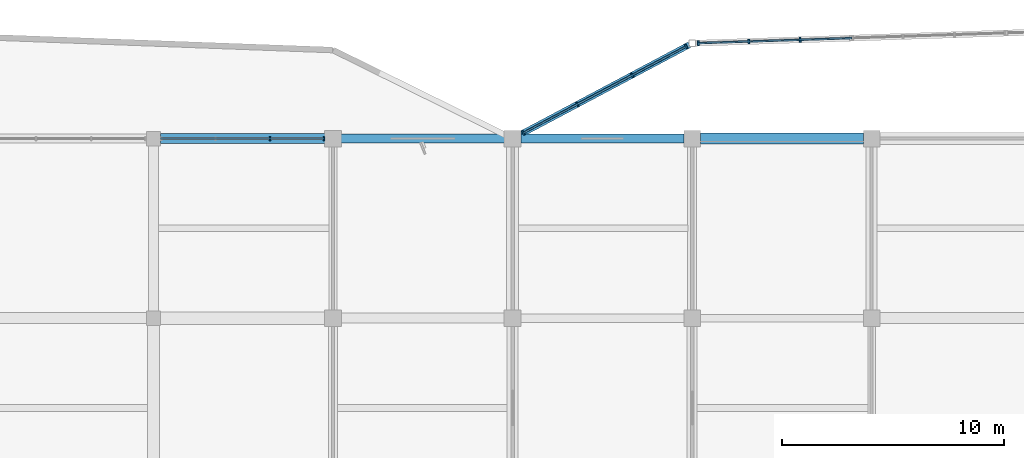
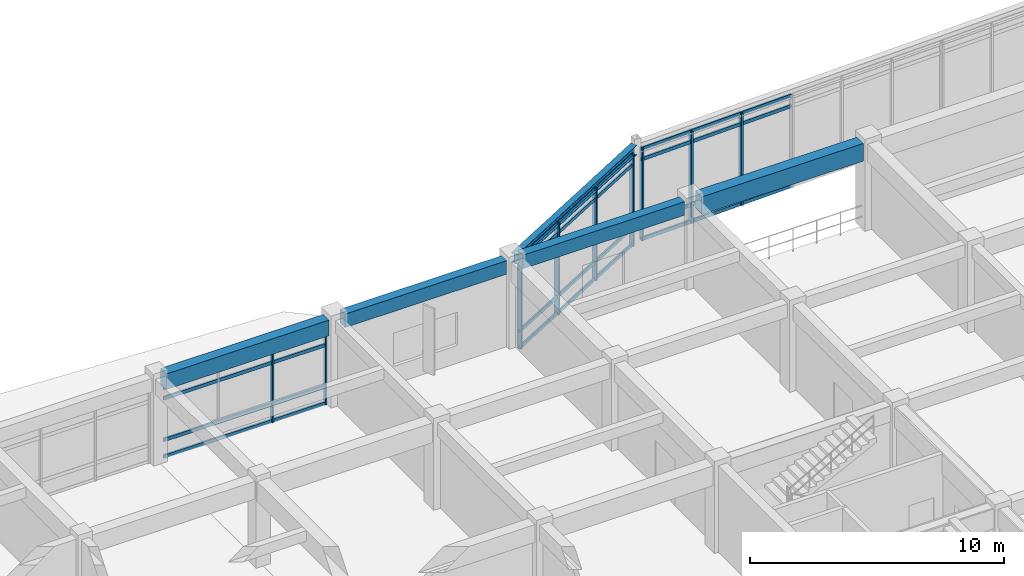
# One storey, part 38 of 70: 21 members, 5 beams, 3 elements without a shape of their own.
"""IFC4 building model written with IfcOpenShell, lengths in metres."""

from ifc_helpers import new_model, si_unit, direction, frame, origin, origin_2d, place, context, subcontext, project, spatial, rectangle, i_section, extrude, material, layer, layer_set, material_profile, profile_set, type_object, element, aggregate, save


model = new_model("IFC4")

# Units and contexts
model_context = context("Model", 3, precision=1e-05, world=origin(), true_north=direction((0.0, 1.0)))
body_context = subcontext(model_context, "Body", "Model", "MODEL_VIEW")
ifc_project = project(units=[si_unit("LENGTHUNIT", "METRE"), si_unit("AREAUNIT", "SQUARE_METRE"), si_unit("VOLUMEUNIT", "CUBIC_METRE"), si_unit("PLANEANGLEUNIT", "RADIAN"), si_unit("MASSUNIT", "GRAM", prefix="KILO")], contexts=[model_context])

# Site, building, storey
site_placement = place(None, origin())
site = spatial("IfcSite", under=ifc_project, at=site_placement, CompositionType="ELEMENT")
building_placement = place(site_placement, origin())
building = spatial("IfcBuilding", under=site, at=building_placement, Name="Vaudrelin Polytechnic", CompositionType="ELEMENT")
storey_placement = place(building_placement, frame((0.0, 0.0, 14.110107421875)))
storey = spatial("IfcBuildingStorey", under=building, at=storey_placement, Name="L03", CompositionType="ELEMENT", Elevation=14.110107421875)

# Beams
ifc_material_1 = material(Name="Concrete 40 MPa", Category="concrete")
ifc_material_profile_1 = material_profile(ifc_material_1, rectangle(XDim=0.39990234375, YDim=0.64990234375, at=origin_2d()), Name="RC400x650")
ifc_profile_set_1 = profile_set([ifc_material_profile_1], Name="Concrete 40 MPa")
beam_type_1 = type_object("IfcBeamType", Name="BM-BM-RC4065", PredefinedType="BEAM", material=ifc_profile_set_1)
beam_1_placement = place(storey_placement, frame((138.071044921875, 121.5, 3.8349609375), z_axis=(1.0, 0.0, 0.0), x_axis=(0.0, 1.0, 0.0)))
element("IfcBeam", 1, at=beam_1_placement, inside=storey, type_object=beam_type_1, Name="L03 X-beam 18-16", PredefinedType="BEAM", context=body_context, shape_type="SweptSolid", body=[
    extrude(rectangle(XDim=0.39990234375, YDim=0.64990234375, at=origin_2d()), origin(), (0.0, 0.0, 1.0), 7.35791015625),
])
ifc_material_profile_2 = material_profile(ifc_material_1, rectangle(XDim=0.449951171875, YDim=0.75, at=origin_2d()), Name="RC450x750")
ifc_profile_set_2 = profile_set([ifc_material_profile_2], Name="Concrete 40 MPa")
beam_type_2 = type_object("IfcBeamType", Name="BM-BM-RC4575", PredefinedType="BEAM", material=ifc_profile_set_2)
beam_2_placement = place(storey_placement, frame((129.9208984375, 121.5, 3.77490234375), z_axis=(1.0, 0.0, 0.0), x_axis=(0.0, 1.0, 0.0)))
element("IfcBeam", 2, at=beam_2_placement, inside=storey, type_object=beam_type_2, Name="L03 X-beam 17-16", PredefinedType="BEAM", context=body_context, shape_type="SweptSolid", body=[
    extrude(rectangle(XDim=0.449951171875, YDim=0.75, at=origin_2d()), origin(), (0.0, 0.0, 1.0), 7.408203125),
])
ifc_material_profile_3 = material_profile(ifc_material_1, rectangle(XDim=0.5, YDim=0.85009765625, at=origin_2d()), Name="RC500x850")
ifc_profile_set_3 = profile_set([ifc_material_profile_3], Name="Concrete 40 MPa")
beam_type_3 = type_object("IfcBeamType", Name="BM-BM-RC5085", PredefinedType="BEAM", material=ifc_profile_set_3)
beam_3_placement = place(storey_placement, frame((154.27099609375, 121.5, 3.73486328125), z_axis=(1.0, 0.0, 0.0), x_axis=(0.0, 1.0, 0.0)))
element("IfcBeam", 3, at=beam_3_placement, inside=storey, type_object=beam_type_3, Name="L03 X-beam 20-16", PredefinedType="BEAM", context=body_context, shape_type="SweptSolid", body=[
    extrude(rectangle(XDim=0.5, YDim=0.85009765625, at=origin_2d()), origin(), (0.0, 0.0, 1.0), 7.35791015625),
])
ifc_material_2 = material(Name="Steel CSA G40.21 350W", Category="steel")
ifc_material_profile_4 = material_profile(ifc_material_2, i_section(OverallWidth=0.280029296875, OverallDepth=0.462890625, WebThickness=0.0107421875, FlangeThickness=0.017333984375, FilletRadius=0.01806640625, at=origin_2d()), Name="W460x113")
ifc_profile_set_4 = profile_set([ifc_material_profile_4], Name="Steel CSA G40.21 350W")
beam_type_4 = type_object("IfcBeamType", Name="BM-BM-W460H", PredefinedType="BEAM", material=ifc_profile_set_4)
beam_4_placement = place(storey_placement, frame((145.923583984375, 121.565673828125, 3.928466796875), z_axis=(0.883259671752, 0.468884156542, 0.0), x_axis=(-0.468884156542, 0.883259671752, 0.0)))
element("IfcBeam", 4, at=beam_4_placement, inside=storey, type_object=beam_type_4, Name="Sculptural edge beam L03 NE_BM_1", PredefinedType="BEAM", context=body_context, shape_type="SweptSolid", body=[
    extrude(i_section(OverallWidth=0.280029296875, OverallDepth=0.462890625, WebThickness=0.0107421875, FlangeThickness=0.017333984375, FilletRadius=0.01806640625, at=origin_2d()), origin(), (0.0, 0.0, 1.0), 8.890625),
])
ifc_material_profile_5 = material_profile(ifc_material_1, rectangle(XDim=0.39990234375, YDim=0.64990234375, at=origin_2d()), Name="RC400x650")
ifc_profile_set_5 = profile_set([ifc_material_profile_5], Name="Concrete 40 MPa")
beam_type_5 = type_object("IfcBeamType", Name="BM-SP-RC4065", PredefinedType="SPANDREL", material=ifc_profile_set_5)
beam_5_placement = place(storey_placement, frame((146.1708984375, 121.5, 3.8349609375), z_axis=(1.0, 0.0, 0.0), x_axis=(0.0, 1.0, 0.0)))
element("IfcBeam", 5, at=beam_5_placement, inside=storey, type_object=beam_type_5, Name="L03 X-beam 19-16", PredefinedType="SPANDREL", context=body_context, shape_type="SweptSolid", body=[
    extrude(rectangle(XDim=0.39990234375, YDim=0.64990234375, at=origin_2d()), origin(), (0.0, 0.0, 1.0), 7.358154296875),
])

# Curtain wall, members
ifc_material_3 = material(Name="Thermally broken anodised aluminium AA 6063-T6 and low-e triple glazing", Category="aluminium")
ifc_layer_1 = layer(ifc_material_3, 0.199951171875)
ifc_layer_set_1 = layer_set([ifc_layer_1], Name="Thermally broken anodised aluminium AA 6063-T6 and low-e triple glazing")
curtain_wall_type_1 = type_object("IfcCurtainWallType", Name="CW-CW-STU", PredefinedType="USERDEFINED", material=ifc_layer_set_1)
curtain_wall_1_placement = place(storey_placement, origin())
curtain_wall_1 = element("IfcCurtainWall", 6, at=curtain_wall_1_placement, inside=storey, type_object=curtain_wall_type_1, Name="Curtain wall L03 N_V5_16", ObjectType="CURTAIN WALL", PredefinedType="USERDEFINED")
ifc_material_4 = material(Name="Anodised aluminium AA 6063-T6", Category="aluminium")
ifc_material_profile_6 = material_profile(ifc_material_4, rectangle(XDim=0.06494140625, YDim=0.179931640625, at=origin_2d()), Name="CWM-65x180")
ifc_profile_set_6 = profile_set([ifc_material_profile_6], Name="Anodised aluminium AA 6063-T6")
member_type_1 = type_object("IfcMemberType", Name="MEM-CWM-180", PredefinedType="MULLION", material=ifc_profile_set_6)
member_1_placement = place(storey_placement, frame((134.85888671875, 121.5, 0.0), z_axis=(0.0, 0.0, 1.0), x_axis=(1.0, 0.0, 0.0)))
member_1 = element("IfcMember", 7, at=member_1_placement, type_object=member_type_1, Name="N_V5_16 mullion 3", PredefinedType="MULLION", context=body_context, shape_type="SweptSolid", body=[
    extrude(rectangle(XDim=0.06494140625, YDim=0.179931640625, at=origin_2d()), origin(), (0.0, 0.0, 1.0), 3.40185546875),
])
member_2_placement = place(storey_placement, frame((137.287109375, 121.5, 0.0), z_axis=(0.0, 0.0, 1.0), x_axis=(1.0, 0.0, 0.0)))
member_2 = element("IfcMember", 8, at=member_2_placement, type_object=member_type_1, Name="N_V5_16 mullion 4", PredefinedType="MULLION", context=body_context, shape_type="SweptSolid", body=[
    extrude(rectangle(XDim=0.06494140625, YDim=0.179931640625, at=origin_2d()), origin(), (0.0, 0.0, 1.0), 3.40185546875),
])

ifc_layer_2 = layer(ifc_material_3, 0.199951171875)
ifc_layer_set_2 = layer_set([ifc_layer_2], Name="Thermally broken anodised aluminium AA 6063-T6 and low-e triple glazing")
curtain_wall_type_2 = type_object("IfcCurtainWallType", Name="CW-CW-LAB", PredefinedType="USERDEFINED", material=ifc_layer_set_2)
curtain_wall_2_placement = place(storey_placement, origin())
curtain_wall_2 = element("IfcCurtainWall", 9, at=curtain_wall_2_placement, inside=storey, type_object=curtain_wall_type_2, Name="Curtain wall L03 NEP_1_0", ObjectType="CURTAIN WALL", PredefinedType="USERDEFINED")
ifc_material_profile_7 = material_profile(ifc_material_4, rectangle(XDim=0.074951171875, YDim=0.219970703125, at=origin_2d()), Name="CWM-75x220")
ifc_profile_set_7 = profile_set([ifc_material_profile_7], Name="Anodised aluminium AA 6063-T6")
member_type_2 = type_object("IfcMemberType", Name="MEM-CWM-220", PredefinedType="MULLION", material=ifc_profile_set_7)
member_3_placement = place(storey_placement, frame((146.285400390625, 121.7578125, -0.630126953125), z_axis=(0.0, 0.0, 1.0), x_axis=(0.88325357809, 0.468895635288, 0.0)))
member_3 = element("IfcMember", 10, at=member_3_placement, type_object=member_type_2, Name="NEP_1_0 mullion 1", PredefinedType="MULLION", context=body_context, shape_type="SweptSolid", body=[
    extrude(rectangle(XDim=0.074951171875, YDim=0.219970703125, at=origin_2d()), origin(), (0.0, 0.0, 1.0), 4.43994140625),
])
member_4_placement = place(storey_placement, frame((148.72412109375, 123.05224609375, -0.630126953125), z_axis=(0.0, 0.0, 1.0), x_axis=(0.88325357809, 0.468895635288, 0.0)))
member_4 = element("IfcMember", 11, at=member_4_placement, type_object=member_type_2, Name="NEP_1_0 mullion 2", PredefinedType="MULLION", context=body_context, shape_type="SweptSolid", body=[
    extrude(rectangle(XDim=0.074951171875, YDim=0.219970703125, at=origin_2d()), origin(), (0.0, 0.0, 1.0), 4.43994140625),
])
member_5_placement = place(storey_placement, frame((151.1982421875, 124.36572265625, -0.630126953125), z_axis=(0.0, 0.0, 1.0), x_axis=(0.88325357809, 0.468895635288, 0.0)))
member_5 = element("IfcMember", 12, at=member_5_placement, type_object=member_type_2, Name="NEP_1_0 mullion 3", PredefinedType="MULLION", context=body_context, shape_type="SweptSolid", body=[
    extrude(rectangle(XDim=0.074951171875, YDim=0.219970703125, at=origin_2d()), origin(), (0.0, 0.0, 1.0), 4.43994140625),
])
member_6_placement = place(storey_placement, frame((153.63720703125, 125.660400390625, -0.630126953125), z_axis=(0.0, 0.0, 1.0), x_axis=(0.88325357809, 0.468895635288, 0.0)))
member_6 = element("IfcMember", 13, at=member_6_placement, type_object=member_type_2, Name="NEP_1_0 mullion 4", PredefinedType="MULLION", context=body_context, shape_type="SweptSolid", body=[
    extrude(rectangle(XDim=0.074951171875, YDim=0.219970703125, at=origin_2d()), origin(), (0.0, 0.0, 1.0), 4.43994140625),
])

curtain_wall_3_placement = place(storey_placement, origin())
curtain_wall_3 = element("IfcCurtainWall", 14, at=curtain_wall_3_placement, inside=storey, type_object=curtain_wall_type_2, Name="Curtain wall L03 NEP_2_0", ObjectType="CURTAIN WALL", PredefinedType="USERDEFINED")
member_7_placement = place(storey_placement, frame((154.177490234375, 125.80908203125, -0.630126953125), z_axis=(0.0, 0.0, 1.0), x_axis=(0.999465454284, 0.032692593862, 0.0)))
member_7 = element("IfcMember", 15, at=member_7_placement, type_object=member_type_2, Name="NEP_2_0 mullion 1", PredefinedType="MULLION", context=body_context, shape_type="SweptSolid", body=[
    extrude(rectangle(XDim=0.074951171875, YDim=0.219970703125, at=origin_2d()), origin(), (0.0, 0.0, 1.0), 4.43994140625),
])
member_8_placement = place(storey_placement, frame((156.456787109375, 125.8837890625, -0.630126953125), z_axis=(0.0, 0.0, 1.0), x_axis=(0.999465454284, 0.032692593862, 0.0)))
member_8 = element("IfcMember", 16, at=member_8_placement, type_object=member_type_2, Name="NEP_2_0 mullion 2", PredefinedType="MULLION", context=body_context, shape_type="SweptSolid", body=[
    extrude(rectangle(XDim=0.074951171875, YDim=0.219970703125, at=origin_2d()), origin(), (0.0, 0.0, 1.0), 4.43994140625),
])
member_9_placement = place(storey_placement, frame((158.776123046875, 125.95947265625, -0.630126953125), z_axis=(0.0, 0.0, 1.0), x_axis=(0.999465454284, 0.032692593862, 0.0)))
member_9 = element("IfcMember", 17, at=member_9_placement, type_object=member_type_2, Name="NEP_2_0 mullion 3", PredefinedType="MULLION", context=body_context, shape_type="SweptSolid", body=[
    extrude(rectangle(XDim=0.074951171875, YDim=0.219970703125, at=origin_2d()), origin(), (0.0, 0.0, 1.0), 4.43994140625),
])

# Member
ifc_material_profile_8 = material_profile(ifc_material_4, rectangle(XDim=0.074951171875, YDim=0.1650390625, at=origin_2d()), Name="CWT-75x165")
ifc_profile_set_8 = profile_set([ifc_material_profile_8], Name="Anodised aluminium AA 6063-T6")
member_type_3 = type_object("IfcMemberType", Name="MEM-CWT-165", PredefinedType="USERDEFINED", material=ifc_profile_set_8)
member_10_placement = place(storey_placement, frame((129.923095703125, 121.5, 0.0498046875), z_axis=(1.0, 0.0, 0.0), x_axis=(0.0, 1.0, 0.0)))
member_10 = element("IfcMember", 18, at=member_10_placement, type_object=member_type_3, Name="N_V5_16 transom 1", ObjectType="TRANSOM", PredefinedType="USERDEFINED", context=body_context, shape_type="SweptSolid", body=[
    extrude(rectangle(XDim=0.074951171875, YDim=0.1650390625, at=origin_2d()), origin(), (0.0, 0.0, 1.0), 7.40380859375),
])

member_11_placement = place(storey_placement, frame((129.923095703125, 121.5, 0.849853515625), z_axis=(1.0, 0.0, 0.0), x_axis=(0.0, 1.0, 0.0)))
member_11 = element("IfcMember", 19, at=member_11_placement, type_object=member_type_3, Name="N_V5_16 transom 2", ObjectType="TRANSOM", PredefinedType="USERDEFINED", context=body_context, shape_type="SweptSolid", body=[
    extrude(rectangle(XDim=0.074951171875, YDim=0.1650390625, at=origin_2d()), origin(), (0.0, 0.0, 1.0), 7.40380859375),
])

member_12_placement = place(storey_placement, frame((129.923095703125, 121.5, 2.851806640625), z_axis=(1.0, 0.0, 0.0), x_axis=(0.0, 1.0, 0.0)))
member_12 = element("IfcMember", 20, at=member_12_placement, type_object=member_type_3, Name="N_V5_16 transom 3", ObjectType="TRANSOM", PredefinedType="USERDEFINED", context=body_context, shape_type="SweptSolid", body=[
    extrude(rectangle(XDim=0.074951171875, YDim=0.1650390625, at=origin_2d()), origin(), (0.0, 0.0, 1.0), 7.40380859375),
])

member_13_placement = place(storey_placement, frame((129.923095703125, 121.5, 3.351806640625), z_axis=(1.0, 0.0, 0.0), x_axis=(0.0, 1.0, 0.0)))
member_13 = element("IfcMember", 21, at=member_13_placement, type_object=member_type_3, Name="N_V5_16 transom 4", ObjectType="TRANSOM", PredefinedType="USERDEFINED", context=body_context, shape_type="SweptSolid", body=[
    extrude(rectangle(XDim=0.074951171875, YDim=0.1650390625, at=origin_2d()), origin(), (0.0, 0.0, 1.0), 7.40380859375),
])

aggregate(curtain_wall_1, [member_1, member_2, member_10, member_11, member_12, member_13])

member_14_placement = place(storey_placement, frame((146.25, 121.739013671875, -0.580078125), z_axis=(0.883260874397, 0.468881891056, 0.0), x_axis=(-0.468881891056, 0.883260874397, 0.0)))
member_14 = element("IfcMember", 22, at=member_14_placement, type_object=member_type_3, Name="NEP_1_0 transom 1", ObjectType="TRANSOM", PredefinedType="USERDEFINED", context=body_context, shape_type="SweptSolid", body=[
    extrude(rectangle(XDim=0.074951171875, YDim=0.1650390625, at=origin_2d()), origin(), (0.0, 0.0, 1.0), 8.4033203125),
])

member_15_placement = place(storey_placement, frame((146.25, 121.739013671875, 0.219970703125), z_axis=(0.883260874397, 0.468881891056, 0.0), x_axis=(-0.468881891056, 0.883260874397, 0.0)))
member_15 = element("IfcMember", 23, at=member_15_placement, type_object=member_type_3, Name="NEP_1_0 transom 2", ObjectType="TRANSOM", PredefinedType="USERDEFINED", context=body_context, shape_type="SweptSolid", body=[
    extrude(rectangle(XDim=0.074951171875, YDim=0.1650390625, at=origin_2d()), origin(), (0.0, 0.0, 1.0), 8.4033203125),
])

member_16_placement = place(storey_placement, frame((146.25, 121.739013671875, 3.260009765625), z_axis=(0.883260874397, 0.468881891056, 0.0), x_axis=(-0.468881891056, 0.883260874397, 0.0)))
member_16 = element("IfcMember", 24, at=member_16_placement, type_object=member_type_3, Name="NEP_1_0 transom 3", ObjectType="TRANSOM", PredefinedType="USERDEFINED", context=body_context, shape_type="SweptSolid", body=[
    extrude(rectangle(XDim=0.074951171875, YDim=0.1650390625, at=origin_2d()), origin(), (0.0, 0.0, 1.0), 8.4033203125),
])

member_17_placement = place(storey_placement, frame((146.25, 121.739013671875, 3.760009765625), z_axis=(0.883260874397, 0.468881891056, 0.0), x_axis=(-0.468881891056, 0.883260874397, 0.0)))
member_17 = element("IfcMember", 25, at=member_17_placement, type_object=member_type_3, Name="NEP_1_0 transom 4", ObjectType="TRANSOM", PredefinedType="USERDEFINED", context=body_context, shape_type="SweptSolid", body=[
    extrude(rectangle(XDim=0.074951171875, YDim=0.1650390625, at=origin_2d()), origin(), (0.0, 0.0, 1.0), 8.4033203125),
])

aggregate(curtain_wall_2, [member_3, member_4, member_5, member_6, member_14, member_15, member_16, member_17])

member_18_placement = place(storey_placement, frame((154.137451171875, 125.807861328125, -0.580078125), z_axis=(0.999465763569, 0.032683137141, 0.0), x_axis=(-0.032683137141, 0.999465763569, 0.0)))
member_18 = element("IfcMember", 26, at=member_18_placement, type_object=member_type_3, Name="NEP_2_0 transom 1", ObjectType="TRANSOM", PredefinedType="USERDEFINED", context=body_context, shape_type="SweptSolid", body=[
    extrude(rectangle(XDim=0.074951171875, YDim=0.1650390625, at=origin_2d()), origin(), (0.0, 0.0, 1.0), 6.9619140625),
])

member_19_placement = place(storey_placement, frame((154.137451171875, 125.807861328125, 0.219970703125), z_axis=(0.999465763569, 0.032683137141, 0.0), x_axis=(-0.032683137141, 0.999465763569, 0.0)))
member_19 = element("IfcMember", 27, at=member_19_placement, type_object=member_type_3, Name="NEP_2_0 transom 2", ObjectType="TRANSOM", PredefinedType="USERDEFINED", context=body_context, shape_type="SweptSolid", body=[
    extrude(rectangle(XDim=0.074951171875, YDim=0.1650390625, at=origin_2d()), origin(), (0.0, 0.0, 1.0), 6.9619140625),
])

member_20_placement = place(storey_placement, frame((154.137451171875, 125.807861328125, 3.260009765625), z_axis=(0.999465763569, 0.032683137141, 0.0), x_axis=(-0.032683137141, 0.999465763569, 0.0)))
member_20 = element("IfcMember", 28, at=member_20_placement, type_object=member_type_3, Name="NEP_2_0 transom 3", ObjectType="TRANSOM", PredefinedType="USERDEFINED", context=body_context, shape_type="SweptSolid", body=[
    extrude(rectangle(XDim=0.074951171875, YDim=0.1650390625, at=origin_2d()), origin(), (0.0, 0.0, 1.0), 6.9619140625),
])

member_21_placement = place(storey_placement, frame((154.137451171875, 125.807861328125, 3.760009765625), z_axis=(0.999465763569, 0.032683137141, 0.0), x_axis=(-0.032683137141, 0.999465763569, 0.0)))
member_21 = element("IfcMember", 29, at=member_21_placement, type_object=member_type_3, Name="NEP_2_0 transom 4", ObjectType="TRANSOM", PredefinedType="USERDEFINED", context=body_context, shape_type="SweptSolid", body=[
    extrude(rectangle(XDim=0.074951171875, YDim=0.1650390625, at=origin_2d()), origin(), (0.0, 0.0, 1.0), 6.9619140625),
])

aggregate(curtain_wall_3, [member_7, member_8, member_9, member_18, member_19, member_20, member_21])

save(model, "model.ifc")
